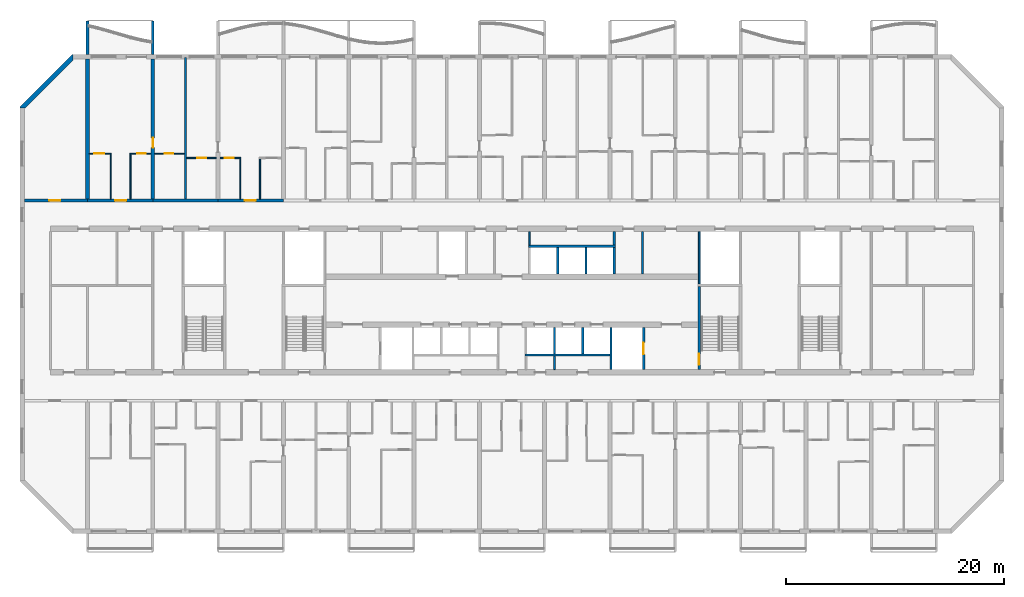
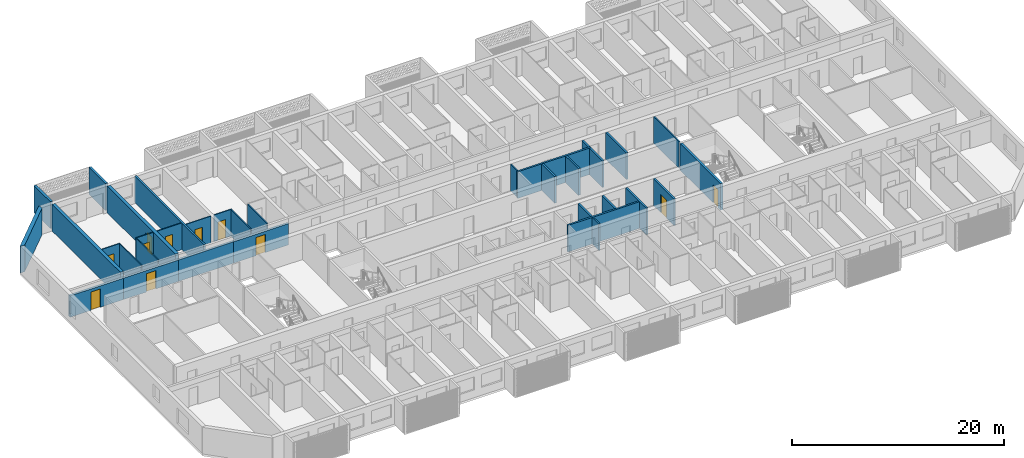
# One storey, part 9 of 31: 34 walls, 11 doors, 11 openings.
"""IFC4 building model written with IfcOpenShell, lengths in metres."""

import ifcopenshell
import ifcopenshell.guid

model = None  # the IFC model being written
_history = None  # IfcOwnerHistory: only IFC2X3 demands one
_inside = {}  # id of a spatial element -> (the spatial element, [elements in it])
_under = {}  # id of a project, library or spatial element -> (it, [spatial elements below it])
_declared = {}  # id of a project -> (the project, [libraries it declares])
_typed = {}  # id of a type object -> (the type object, [elements of that type])
_made_of = {}  # id of a material, layer set ... -> (it, [elements and type objects made of it])


def new_model(schema):
    """Start an empty IFC model of exactly this schema.

    Asked for "IFC4X3", IfcOpenShell would pick the latest addendum, in which some entities
    have other attributes; the version numbers below select the first issue.
    IFC2X3 requires an IfcOwnerHistory on every rooted entity: one is made here for all.
    """
    global model, _history
    if schema == "IFC4X3":
        model = ifcopenshell.file(schema_version=(4, 3, 0, 0))
    else:
        model = ifcopenshell.file(schema=schema)
    _inside.clear()
    _under.clear()
    _declared.clear()
    _typed.clear()
    _made_of.clear()
    _history = None
    if model.schema == "IFC2X3":
        org = make("IfcOrganization", Name="unknown")
        user = make(
            "IfcPersonAndOrganization",
            ThePerson=make("IfcPerson", FamilyName="unknown"),
            TheOrganization=org,
        )
        app = make(
            "IfcApplication",
            ApplicationDeveloper=org,
            Version="unknown",
            ApplicationFullName="unknown",
            ApplicationIdentifier="unknown",
        )
        _history = make(
            "IfcOwnerHistory",
            OwningUser=user,
            OwningApplication=app,
            ChangeAction="ADDED",
            CreationDate=0,
        )
    return model


def make(cls, **values):
    """One entity of the class cls with the attributes given. An attribute that is None is left unset."""
    return model.create_entity(
        cls, **{name: value for name, value in values.items() if value is not None}
    )


def rooted(cls, **values):
    """An entity with a GlobalId (a new one), such as an element, a storey or a relation."""
    return make(cls, GlobalId=ifcopenshell.guid.new(), OwnerHistory=_history, **values)


def si_unit(unit_type, name, prefix=None):
    """IfcSIUnit, for example si_unit("LENGTHUNIT", "METRE", prefix="MILLI")."""
    return make("IfcSIUnit", UnitType=unit_type, Prefix=prefix, Name=name)


def assignment(units):
    """IfcUnitAssignment: the units of a project."""
    return None if units is None else make("IfcUnitAssignment", Units=units)


def point(xyz):
    """IfcCartesianPoint."""
    return None if xyz is None else make("IfcCartesianPoint", Coordinates=xyz)


def direction(xyz):
    """IfcDirection."""
    return None if xyz is None else make("IfcDirection", DirectionRatios=xyz)


def frame(location, z_axis=None, x_axis=None):
    """IfcAxis2Placement3D, a coordinate frame: its origin and axes. An axis left out is left unset."""
    return make(
        "IfcAxis2Placement3D",
        Location=point(location),
        Axis=direction(z_axis),
        RefDirection=direction(x_axis),
    )


def frame_2d(location, x_axis=None):
    """IfcAxis2Placement2D, a coordinate frame in the plane: its origin and x axis."""
    return make(
        "IfcAxis2Placement2D", Location=point(location), RefDirection=direction(x_axis)
    )


def origin():
    """The frame at (0, 0, 0) with its axes left unset."""
    return frame((0.0, 0.0, 0.0))


def place(relative_to, where):
    """IfcLocalPlacement: puts the frame where relative to a parent placement (None: the world)."""
    return make(
        "IfcLocalPlacement", PlacementRelTo=relative_to, RelativePlacement=where
    )


def context(
    kind, dimensions, precision=None, world=None, true_north=None, identifier=None
):
    """IfcGeometricRepresentationContext, for example the 3D "Model" context."""
    return make(
        "IfcGeometricRepresentationContext",
        ContextIdentifier=identifier,
        ContextType=kind,
        CoordinateSpaceDimension=dimensions,
        Precision=precision,
        WorldCoordinateSystem=world,
        TrueNorth=true_north,
    )


def subcontext(parent, identifier, kind, view, scale=None):
    """IfcGeometricRepresentationSubContext, for example "Body" below "Model"."""
    return make(
        "IfcGeometricRepresentationSubContext",
        ContextIdentifier=identifier,
        ContextType=kind,
        ParentContext=parent,
        TargetScale=scale,
        TargetView=view,
    )


def project(units=None, contexts=None):
    """IfcProject with its units and contexts."""
    return rooted(
        "IfcProject",
        Name="project",
        RepresentationContexts=contexts,
        UnitsInContext=assignment(units),
    )


def spatial(cls, under=None, at=None, **own):
    """A site, building, storey or space (cls), placed at a placement, below another one or the project."""
    s = rooted(cls, ObjectPlacement=at, **own)
    if under is not None:
        _under.setdefault(under.id(), (under, []))[1].append(s)
    return s


def polyline(points):
    """IfcPolyline through the points."""
    return make("IfcPolyline", Points=[point(p) for p in points])


def profile(cls, at=None, kind="AREA", **sizes):
    """A parametric profile (cls). Its sizes go by their IFC names, for example OverallWidth=200.0."""
    return make(cls, ProfileType=kind, Position=at, **sizes)


def rectangle(**sizes):
    """IfcRectangleProfileDef."""
    return profile("IfcRectangleProfileDef", **sizes)


def outline(outer, holes=None, kind="AREA"):
    """IfcArbitraryClosedProfileDef: a profile drawn as a closed curve; with holes, ...WithVoids."""
    if holes is None:
        return make("IfcArbitraryClosedProfileDef", ProfileType=kind, OuterCurve=outer)
    return make(
        "IfcArbitraryProfileDefWithVoids",
        ProfileType=kind,
        OuterCurve=outer,
        InnerCurves=holes,
    )


def extrude(swept, where, along, depth):
    """IfcExtrudedAreaSolid: the profile swept, set in the frame where, extruded along a direction by depth."""
    return make(
        "IfcExtrudedAreaSolid",
        SweptArea=swept,
        Position=where,
        ExtrudedDirection=direction(along),
        Depth=depth,
    )


def shape(context_of_items, identifier, shape_type, items):
    """IfcShapeRepresentation: the items that make up one representation, for example the "Body"."""
    return make(
        "IfcShapeRepresentation",
        ContextOfItems=context_of_items,
        RepresentationIdentifier=identifier,
        RepresentationType=shape_type,
        Items=items,
    )


def source(mapping_origin, context_of_items, identifier, shape_type, items):
    """IfcRepresentationMap: a shape defined once, which mapped items show again and again."""
    return make(
        "IfcRepresentationMap",
        MappingOrigin=mapping_origin,
        MappedRepresentation=shape(context_of_items, identifier, shape_type, items),
    )


def transform(
    local_origin,
    x_axis=None,
    y_axis=None,
    z_axis=None,
    scale=None,
    scale2=None,
    scale3=None,
    uniform=True,
):
    """IfcCartesianTransformationOperator3D, or its non-uniform kind. x_axis, y_axis, z_axis: its Axis1, 2, 3."""
    if uniform:
        return make(
            "IfcCartesianTransformationOperator3D",
            Axis1=direction(x_axis),
            Axis2=direction(y_axis),
            LocalOrigin=point(local_origin),
            Scale=scale,
            Axis3=direction(z_axis),
        )
    return make(
        "IfcCartesianTransformationOperator3DnonUniform",
        Axis1=direction(x_axis),
        Axis2=direction(y_axis),
        LocalOrigin=point(local_origin),
        Scale=scale,
        Axis3=direction(z_axis),
        Scale2=scale2,
        Scale3=scale3,
    )


def mapped(mapping_source, mapping_target):
    """IfcMappedItem: shows the shape of a source again, moved by a transform."""
    return make(
        "IfcMappedItem", MappingSource=mapping_source, MappingTarget=mapping_target
    )


def material(Name=None, Category=None):
    """IfcMaterial."""
    return make("IfcMaterial", Name=Name, Category=Category)


def layer(
    of_material, thickness, ventilated=None, Name=None, Category=None, Priority=None
):
    """IfcMaterialLayer: one layer of a wall or slab, of a material (None: an air gap)."""
    return make(
        "IfcMaterialLayer",
        Material=of_material,
        LayerThickness=thickness,
        IsVentilated=ventilated,
        Name=Name,
        Category=Category,
        Priority=Priority,
    )


def layer_set(layers, Name=None):
    """IfcMaterialLayerSet."""
    return make("IfcMaterialLayerSet", MaterialLayers=layers, LayerSetName=Name)


def made_of(thing, what):
    """Note that an element or type object is made of a material, layer set ...; save() writes the relation."""
    if what is not None:
        _made_of.setdefault(what.id(), (what, []))[1].append(thing)
    return thing


def type_object(cls, material=None, **own):
    """A type object (cls), such as IfcWallType, which elements share."""
    return made_of(rooted(cls, **own), material)


def element(
    cls,
    number,
    at=None,
    inside=None,
    cuts=None,
    type_object=None,
    material=None,
    context=None,
    identifier="Body",
    shape_type=None,
    held_by="IfcProductDefinitionShape",
    body=None,
    shapes=None,
    **own,
):
    """One element of the class cls, such as IfcWall. Its Tag is "e" and its number.

    at: its placement. inside: the storey or other place that contains it. cuts: it is an
    opening in that element (IfcRelVoidsElement). A single representation is given by context,
    identifier, shape_type and body (its items); several are given by shapes. held_by: the class
    of the entity that holds the representations. save() writes the other relations.
    """
    e = rooted(cls, Tag="e%d" % number, ObjectPlacement=at, **own)
    if body is not None:
        shapes = [shape(context, identifier, shape_type, body)]
    if shapes is not None:
        e.Representation = make(held_by, Representations=shapes)
    if inside is not None:
        _inside.setdefault(inside.id(), (inside, []))[1].append(e)
    if cuts is not None:
        rooted(
            "IfcRelVoidsElement", RelatingBuildingElement=cuts, RelatedOpeningElement=e
        )
    if type_object is not None:
        _typed.setdefault(type_object.id(), (type_object, []))[1].append(e)
    return made_of(e, material)


def fill(opening, filler):
    """IfcRelFillsElement: the door or window that sits in an opening."""
    return rooted(
        "IfcRelFillsElement",
        RelatingOpeningElement=opening,
        RelatedBuildingElement=filler,
    )


def aggregate(whole, parts):
    """IfcRelAggregates: a whole, such as a stair, and the parts it consists of."""
    return rooted("IfcRelAggregates", RelatingObject=whole, RelatedObjects=parts)


def save(model, path):
    """Write the relations noted so far, then the file.

    IfcRelAggregates (storeys below a building ...), IfcRelContainedInSpatialStructure (elements
    in a storey), IfcRelDefinesByType, IfcRelAssociatesMaterial and IfcRelDeclares: one each for
    every whole, place, type object, material and project.
    """
    for whole, parts in _under.values():
        aggregate(whole, parts)
    for where, things in _inside.values():
        rooted(
            "IfcRelContainedInSpatialStructure",
            RelatedElements=things,
            RelatingStructure=where,
        )
    for kind, things in _typed.values():
        rooted("IfcRelDefinesByType", RelatedObjects=things, RelatingType=kind)
    for what, things in _made_of.values():
        rooted("IfcRelAssociatesMaterial", RelatedObjects=things, RelatingMaterial=what)
    for by, libraries in _declared.values():
        rooted("IfcRelDeclares", RelatingContext=by, RelatedDefinitions=libraries)
    model.write(path)


model = new_model("IFC4")

# Units and contexts
model_context = context("Model", 3, precision=1e-05, world=origin(), true_north=direction((0.0, 1.0)))
body_context = subcontext(model_context, "Body", "Model", "MODEL_VIEW")
ifc_project = project(units=[si_unit("LENGTHUNIT", "METRE"), si_unit("AREAUNIT", "SQUARE_METRE"), si_unit("VOLUMEUNIT", "CUBIC_METRE"), si_unit("PLANEANGLEUNIT", "RADIAN"), si_unit("MASSUNIT", "GRAM", prefix="KILO")], contexts=[model_context])

# Site, building, storey
site_placement = place(None, origin())
site = spatial("IfcSite", under=ifc_project, at=site_placement, CompositionType="ELEMENT")
building_placement = place(site_placement, origin())
building = spatial("IfcBuilding", under=site, at=building_placement, Name="Poui Terraces", CompositionType="ELEMENT")
storey_placement = place(building_placement, frame((0.0, 0.0, 82.800048828125)))
storey = spatial("IfcBuildingStorey", under=building, at=storey_placement, Name="L22", CompositionType="ELEMENT", Elevation=82.800048828125)

# Wall
ifc_material_1 = material(Name="Fire-rated plasterboard wall")
ifc_layer_1 = layer(ifc_material_1, 0.14990234375)
ifc_layer_set_1 = layer_set([ifc_layer_1], Name="Fire-rated plasterboard wall")
wall_type_1 = type_object("IfcWallType", Name="CORRIDOR WALL 150", PredefinedType="PARTITIONING", material=ifc_layer_set_1)
wall_1_placement = place(storey_placement, frame((52.60009765625, 26.300048828125, 0.0), z_axis=(0.0, 0.0, 1.0), x_axis=(0.0, 1.0, 0.0)))
element("IfcWall", 1, at=wall_1_placement, inside=storey, type_object=wall_type_1, Name="CORRIDOR WALL 150", PredefinedType="PARTITIONING", context=body_context, shape_type="SweptSolid", body=[
    extrude(rectangle(XDim=1.239990234375, YDim=0.14990234375, at=frame_2d((0.6201171875, 0.0))), origin(), (0.0, 0.0, 1.0), 3.06005859375),
])

# Wall, opening, door
ifc_material_2 = material(Name="Concrete 65 MPa", Category="concrete")
ifc_layer_2 = layer(ifc_material_2, 0.25)
ifc_layer_set_2 = layer_set([ifc_layer_2], Name="Concrete 65 MPa")
wall_type_2 = type_object("IfcWallType", Name="CORRIDOR WALL 250 65MPa", PredefinedType="SHEAR", material=ifc_layer_set_2)
wall_2_placement = place(storey_placement, frame((6.199951171875, 30.39990234375, 0.0), z_axis=(0.0, 0.0, 1.0), x_axis=(1.0, 0.0, 0.0)))
wall_2 = element("IfcWall", 2, at=wall_2_placement, inside=storey, type_object=wall_type_2, Name="CORRIDOR WALL LINE E BAY 1", PredefinedType="SHEAR", context=body_context, shape_type="SweptSolid", body=[
    extrude(rectangle(XDim=5.800048828125, YDim=0.25, at=frame_2d((2.89990234375, 0.0))), origin(), (0.0, 0.0, 1.0), 2.4599609375),
])
opening_1_placement = place(wall_2_placement, frame((2.300048828125, 0.0, 0.0)))
opening_1 = element("IfcOpeningElement", 3, at=opening_1_placement, cuts=wall_2, Name="Opening D100", PredefinedType="OPENING", context=body_context, shape_type="SweptSolid", body=[
    extrude(rectangle(XDim=1.0, YDim=2.10009765625, at=frame_2d((0.5, 1.050048828125))), frame((0.0, 0.135009765625, 0.0), z_axis=(0.0, -1.0, 0.0), x_axis=(1.0, 0.0, 0.0)), (0.0, 0.0, 1.0), 0.27001953125),
])
ifc_material_3 = material(Name="Solid core timber door", Category="wood")
door_type_1 = type_object("IfcDoorType", Name="ACCESSIBLE INTERNAL DOOR 1000 X 2100", OperationType="NOTDEFINED", PredefinedType="DOOR", material=ifc_material_3)
door_1_placement = place(opening_1_placement, origin())
door_1 = element("IfcDoor", 4, at=door_1_placement, inside=storey, type_object=door_type_1, Name="ACCESSIBLE INTERNAL DOOR 032", OperationType="SINGLE_SWING_LEFT", OverallHeight=2.10009765625, OverallWidth=1.0, PredefinedType="DOOR", context=body_context, shape_type="SweptSolid", body=[
    extrude(rectangle(XDim=1.0, YDim=2.10009765625, at=frame_2d((0.5, 1.050048828125))), frame((0.0, 0.02490234375, 0.0), z_axis=(0.0, -1.0, 0.0), x_axis=(1.0, 0.0, 0.0)), (0.0, 0.0, 1.0), 0.050048828125),
])
fill(opening_1, door_1)

wall_3_placement = place(storey_placement, frame((12.0, 30.39990234375, 0.0), z_axis=(0.0, 0.0, 1.0), x_axis=(1.0, 0.0, 0.0)))
wall_3 = element("IfcWall", 5, at=wall_3_placement, inside=storey, type_object=wall_type_2, Name="CORRIDOR WALL LINE E BAY 2", PredefinedType="SHEAR", context=body_context, shape_type="SweptSolid", body=[
    extrude(rectangle(XDim=6.0, YDim=0.25, at=frame_2d((3.0, 0.0))), origin(), (0.0, 0.0, 1.0), 2.4599609375),
])
opening_2_placement = place(wall_3_placement, frame((2.550048828125, 0.0, 0.0)))
opening_2 = element("IfcOpeningElement", 6, at=opening_2_placement, cuts=wall_3, Name="Opening FD30S", PredefinedType="OPENING", context=body_context, shape_type="SweptSolid", body=[
    extrude(rectangle(XDim=1.0, YDim=2.10009765625, at=frame_2d((0.5, 1.050048828125))), frame((0.0, 0.135009765625, 0.0), z_axis=(0.0, -1.0, 0.0), x_axis=(1.0, 0.0, 0.0)), (0.0, 0.0, 1.0), 0.27001953125),
])
ifc_material_4 = material(Name="Steel fire door", Category="steel")
door_type_2 = type_object("IfcDoorType", Name="FLAT ENTRANCE DOOR 1000 X 2100", OperationType="NOTDEFINED", PredefinedType="DOOR", material=ifc_material_4)
door_2_placement = place(opening_2_placement, origin())
door_2 = element("IfcDoor", 7, at=door_2_placement, inside=storey, type_object=door_type_2, Name="FLAT ENTRANCE DOOR 035", OperationType="SINGLE_SWING_RIGHT", OverallHeight=2.10009765625, OverallWidth=1.0, PredefinedType="DOOR", context=body_context, shape_type="SweptSolid", body=[
    extrude(rectangle(XDim=1.0, YDim=2.10009765625, at=frame_2d((0.5, 1.050048828125))), frame((0.0, 0.02490234375, 0.0), z_axis=(0.0, -1.0, 0.0), x_axis=(1.0, 0.0, 0.0)), (0.0, 0.0, 1.0), 0.050048828125),
])
fill(opening_2, door_2)

# Wall
wall_4_placement = place(storey_placement, frame((18.0, 30.39990234375, 0.0), z_axis=(0.0, 0.0, 1.0), x_axis=(1.0, 0.0, 0.0)))
element("IfcWall", 8, at=wall_4_placement, inside=storey, type_object=wall_type_2, Name="CORRIDOR WALL LINE E BAY 3", PredefinedType="SHEAR", context=body_context, shape_type="SweptSolid", body=[
    extrude(rectangle(XDim=6.0, YDim=0.25, at=frame_2d((3.0, 0.0))), origin(), (0.0, 0.0, 1.0), 2.4599609375),
])

# Wall, opening, door
wall_5_placement = place(storey_placement, frame((24.0, 30.39990234375, 0.0), z_axis=(0.0, 0.0, 1.0), x_axis=(1.0, 0.0, 0.0)))
wall_5 = element("IfcWall", 9, at=wall_5_placement, inside=storey, type_object=wall_type_2, Name="CORRIDOR WALL LINE E BAY 4", PredefinedType="SHEAR", context=body_context, shape_type="SweptSolid", body=[
    extrude(rectangle(XDim=6.0, YDim=0.25, at=frame_2d((3.0, 0.0))), origin(), (0.0, 0.0, 1.0), 2.4599609375),
])
opening_3_placement = place(wall_5_placement, frame((2.449951171875, 0.0, 0.0)))
opening_3 = element("IfcOpeningElement", 10, at=opening_3_placement, cuts=wall_5, Name="Opening FD30S", PredefinedType="OPENING", context=body_context, shape_type="SweptSolid", body=[
    extrude(rectangle(XDim=1.0, YDim=2.10009765625, at=frame_2d((0.5, 1.050048828125))), frame((0.0, 0.135009765625, 0.0), z_axis=(0.0, -1.0, 0.0), x_axis=(1.0, 0.0, 0.0)), (0.0, 0.0, 1.0), 0.27001953125),
])
door_3_placement = place(opening_3_placement, origin())
door_3 = element("IfcDoor", 11, at=door_3_placement, inside=storey, type_object=door_type_2, Name="FLAT ENTRANCE DOOR 041", OperationType="SINGLE_SWING_LEFT", OverallHeight=2.10009765625, OverallWidth=1.0, PredefinedType="DOOR", context=body_context, shape_type="SweptSolid", body=[
    extrude(rectangle(XDim=1.0, YDim=2.10009765625, at=frame_2d((0.5, 1.050048828125))), frame((0.0, 0.02490234375, 0.0), z_axis=(0.0, -1.0, 0.0), x_axis=(1.0, 0.0, 0.0)), (0.0, 0.0, 1.0), 0.050048828125),
])
fill(opening_3, door_3)

# Wall
ifc_layer_3 = layer(ifc_material_2, 0.35009765625)
ifc_layer_set_3 = layer_set([ifc_layer_3], Name="Concrete 65 MPa")
wall_type_3 = type_object("IfcWallType", Name="CROSS WALL 350 65MPa", PredefinedType="SHEAR", material=ifc_layer_set_3)
wall_6_placement = place(storey_placement, frame((12.0, 30.52490234375, 0.0), z_axis=(0.0, 0.0, 1.0), x_axis=(0.0, 1.0, 0.0)))
element("IfcWall", 12, at=wall_6_placement, inside=storey, type_object=wall_type_3, Name="CROSS WALL LINE 3 NORTH", PredefinedType="SHEAR", context=body_context, shape_type="SweptSolid", body=[
    extrude(rectangle(XDim=12.875, YDim=0.35009765625, at=frame_2d((6.4375, 0.0))), origin(), (0.0, 0.0, 1.0), 3.06005859375),
])

# Wall, opening, door
wall_7_placement = place(storey_placement, frame((18.0, 30.52490234375, 0.0), z_axis=(0.0, 0.0, 1.0), x_axis=(0.0, 1.0, 0.0)))
wall_7 = element("IfcWall", 13, at=wall_7_placement, inside=storey, type_object=wall_type_3, Name="CROSS WALL LINE 4 NORTH", PredefinedType="SHEAR", context=body_context, shape_type="SweptSolid", body=[
    extrude(rectangle(XDim=12.875, YDim=0.35009765625, at=frame_2d((6.4375, 0.0))), origin(), (0.0, 0.0, 1.0), 3.06005859375),
])
opening_4_placement = place(wall_7_placement, frame((4.72509765625, 0.0, 0.0)))
opening_4 = element("IfcOpeningElement", 14, at=opening_4_placement, cuts=wall_7, Name="Opening D90", PredefinedType="OPENING", context=body_context, shape_type="SweptSolid", body=[
    extrude(rectangle(XDim=0.89990234375, YDim=2.10009765625, at=frame_2d((0.449951171875, 1.050048828125))), frame((0.0, 0.18505859375, 0.0), z_axis=(0.0, -1.0, 0.0), x_axis=(1.0, 0.0, 0.0)), (0.0, 0.0, 1.0), 0.3701171875),
])
door_type_3 = type_object("IfcDoorType", Name="INTERNAL DOOR 900 X 2100", OperationType="NOTDEFINED", PredefinedType="DOOR", material=ifc_material_3)
door_4_placement = place(opening_4_placement, frame((0.89990234375, 0.0, 0.0), z_axis=(0.0, 0.0, 1.0), x_axis=(-1.0, 0.0, 0.0)))
door_4 = element("IfcDoor", 15, at=door_4_placement, inside=storey, type_object=door_type_3, Name="INTERNAL DOOR 037", OperationType="SINGLE_SWING_RIGHT", OverallHeight=2.10009765625, OverallWidth=0.89990234375, PredefinedType="DOOR", context=body_context, shape_type="SweptSolid", body=[
    extrude(rectangle(XDim=0.89990234375, YDim=2.10009765625, at=frame_2d((0.449951171875, 1.050048828125))), frame((0.0, 0.02490234375, 0.0), z_axis=(0.0, -1.0, 0.0), x_axis=(1.0, 0.0, 0.0)), (0.0, 0.0, 1.0), 0.050048828125),
])
fill(opening_4, door_4)

ifc_material_5 = material(Name="Plasterboard partition")
ifc_layer_4 = layer(ifc_material_5, 0.10009765625)
ifc_layer_set_4 = layer_set([ifc_layer_4], Name="Plasterboard partition")
wall_type_4 = type_object("IfcWallType", Name="FLAT PARTITION 100", PredefinedType="PARTITIONING", material=ifc_layer_set_4)
wall_8_placement = place(storey_placement, frame((21.10009765625, 34.300048828125, 0.0), z_axis=(0.0, 0.0, 1.0), x_axis=(1.0, 0.0, 0.0)))
wall_8 = element("IfcWall", 16, at=wall_8_placement, inside=storey, type_object=wall_type_4, Name="FLAT PARTITION 100", PredefinedType="PARTITIONING", context=body_context, shape_type="SweptSolid", body=[
    extrude(rectangle(XDim=2.71484375, YDim=0.10009765625, at=frame_2d((1.357421875, 0.0))), origin(), (0.0, 0.0, 1.0), 3.06005859375),
])
opening_5_placement = place(wall_8_placement, frame((1.0, 0.0, 0.0)))
opening_5 = element("IfcOpeningElement", 17, at=opening_5_placement, cuts=wall_8, Name="Opening D80", PredefinedType="OPENING", context=body_context, shape_type="SweptSolid", body=[
    extrude(rectangle(XDim=0.800048828125, YDim=2.10009765625, at=frame_2d((0.39990234375, 1.050048828125))), frame((0.0, 0.06005859375, 0.0), z_axis=(0.0, -1.0, 0.0), x_axis=(1.0, 0.0, 0.0)), (0.0, 0.0, 1.0), 0.1201171875),
])
door_type_4 = type_object("IfcDoorType", Name="BATHROOM, LAUNDRY AND STORE DOOR 800 X 2100", OperationType="NOTDEFINED", PredefinedType="DOOR", material=ifc_material_3)
door_5_placement = place(opening_5_placement, frame((0.800048828125, 0.0, 0.0), z_axis=(0.0, 0.0, 1.0), x_axis=(-1.0, 0.0, 0.0)))
door_5 = element("IfcDoor", 18, at=door_5_placement, inside=storey, type_object=door_type_4, Name="BATHROOM, LAUNDRY AND STORE DOOR 038", OperationType="SINGLE_SWING_RIGHT", OverallHeight=2.10009765625, OverallWidth=0.800048828125, PredefinedType="DOOR", context=body_context, shape_type="SweptSolid", body=[
    extrude(rectangle(XDim=0.800048828125, YDim=2.10009765625, at=frame_2d((0.39990234375, 1.050048828125))), frame((0.0, 0.02490234375, 0.0), z_axis=(0.0, -1.0, 0.0), x_axis=(1.0, 0.0, 0.0)), (0.0, 0.0, 1.0), 0.050048828125),
])
fill(opening_5, door_5)

wall_9_placement = place(storey_placement, frame((24.18505859375, 34.300048828125, 0.0), z_axis=(0.0, 0.0, 1.0), x_axis=(1.0, 0.0, 0.0)))
wall_9 = element("IfcWall", 19, at=wall_9_placement, inside=storey, type_object=wall_type_4, Name="FLAT PARTITION 100", PredefinedType="PARTITIONING", context=body_context, shape_type="SweptSolid", body=[
    extrude(rectangle(XDim=1.9150390625, YDim=0.10009765625, at=frame_2d((0.95751953125, 0.0))), origin(), (0.0, 0.0, 1.0), 3.06005859375),
])
opening_6_placement = place(wall_9_placement, frame((0.43994140625, 0.0, 0.0)))
opening_6 = element("IfcOpeningElement", 20, at=opening_6_placement, cuts=wall_9, Name="Opening D80", PredefinedType="OPENING", context=body_context, shape_type="SweptSolid", body=[
    extrude(rectangle(XDim=0.800048828125, YDim=2.10009765625, at=frame_2d((0.39990234375, 1.050048828125))), frame((0.0, 0.06005859375, 0.0), z_axis=(0.0, -1.0, 0.0), x_axis=(1.0, 0.0, 0.0)), (0.0, 0.0, 1.0), 0.1201171875),
])
door_6_placement = place(opening_6_placement, frame((0.800048828125, 0.0, 0.0), z_axis=(0.0, 0.0, 1.0), x_axis=(-1.0, 0.0, 0.0)))
door_6 = element("IfcDoor", 21, at=door_6_placement, inside=storey, type_object=door_type_4, Name="BATHROOM, LAUNDRY AND STORE DOOR 040", OperationType="SINGLE_SWING_LEFT", OverallHeight=2.10009765625, OverallWidth=0.800048828125, PredefinedType="DOOR", context=body_context, shape_type="SweptSolid", body=[
    extrude(rectangle(XDim=0.800048828125, YDim=2.10009765625, at=frame_2d((0.39990234375, 1.050048828125))), frame((0.0, 0.02490234375, 0.0), z_axis=(0.0, -1.0, 0.0), x_axis=(1.0, 0.0, 0.0)), (0.0, 0.0, 1.0), 0.050048828125),
])
fill(opening_6, door_6)

wall_10_placement = place(storey_placement, frame((12.18505859375, 34.699951171875, 0.0), z_axis=(0.0, 0.0, 1.0), x_axis=(1.0, 0.0, 0.0)))
wall_10 = element("IfcWall", 22, at=wall_10_placement, inside=storey, type_object=wall_type_4, Name="FLAT PARTITION 100", PredefinedType="PARTITIONING", context=body_context, shape_type="SweptSolid", body=[
    extrude(rectangle(XDim=2.014892578125, YDim=0.10009765625, at=frame_2d((1.00732421875, 0.0))), origin(), (0.0, 0.0, 1.0), 3.06005859375),
])
opening_7_placement = place(wall_10_placement, frame((0.43994140625, 0.0, 0.0)))
opening_7 = element("IfcOpeningElement", 23, at=opening_7_placement, cuts=wall_10, Name="Opening D90", PredefinedType="OPENING", context=body_context, shape_type="SweptSolid", body=[
    extrude(rectangle(XDim=0.89990234375, YDim=2.10009765625, at=frame_2d((0.449951171875, 1.050048828125))), frame((0.0, 0.06005859375, 0.0), z_axis=(0.0, -1.0, 0.0), x_axis=(1.0, 0.0, 0.0)), (0.0, 0.0, 1.0), 0.1201171875),
])
door_7_placement = place(opening_7_placement, frame((0.89990234375, 0.0, 0.0), z_axis=(0.0, 0.0, 1.0), x_axis=(-1.0, 0.0, 0.0)))
door_7 = element("IfcDoor", 24, at=door_7_placement, inside=storey, type_object=door_type_3, Name="INTERNAL DOOR 034", OperationType="SINGLE_SWING_RIGHT", OverallHeight=2.10009765625, OverallWidth=0.89990234375, PredefinedType="DOOR", context=body_context, shape_type="SweptSolid", body=[
    extrude(rectangle(XDim=0.89990234375, YDim=2.10009765625, at=frame_2d((0.449951171875, 1.050048828125))), frame((0.0, 0.02490234375, 0.0), z_axis=(0.0, -1.0, 0.0), x_axis=(1.0, 0.0, 0.0)), (0.0, 0.0, 1.0), 0.050048828125),
])
fill(opening_7, door_7)

wall_11_placement = place(storey_placement, frame((15.89990234375, 34.699951171875, 0.0), z_axis=(0.0, 0.0, 1.0), x_axis=(1.0, 0.0, 0.0)))
wall_11 = element("IfcWall", 25, at=wall_11_placement, inside=storey, type_object=wall_type_4, Name="FLAT PARTITION 100", PredefinedType="PARTITIONING", context=body_context, shape_type="SweptSolid", body=[
    extrude(rectangle(XDim=1.9150390625, YDim=0.10009765625, at=frame_2d((0.95751953125, 0.0))), origin(), (0.0, 0.0, 1.0), 3.06005859375),
])
opening_8_placement = place(wall_11_placement, frame((0.675048828125, 0.0, 0.0)))
opening_8 = element("IfcOpeningElement", 26, at=opening_8_placement, cuts=wall_11, Name="Opening D80", PredefinedType="OPENING", context=body_context, shape_type="SweptSolid", body=[
    extrude(rectangle(XDim=0.800048828125, YDim=2.10009765625, at=frame_2d((0.39990234375, 1.050048828125))), frame((0.0, 0.06005859375, 0.0), z_axis=(0.0, -1.0, 0.0), x_axis=(1.0, 0.0, 0.0)), (0.0, 0.0, 1.0), 0.1201171875),
])
door_8_placement = place(opening_8_placement, frame((0.800048828125, 0.0, 0.0), z_axis=(0.0, 0.0, 1.0), x_axis=(-1.0, 0.0, 0.0)))
door_8 = element("IfcDoor", 27, at=door_8_placement, inside=storey, type_object=door_type_4, Name="BATHROOM, LAUNDRY AND STORE DOOR 036", OperationType="SINGLE_SWING_LEFT", OverallHeight=2.10009765625, OverallWidth=0.800048828125, PredefinedType="DOOR", context=body_context, shape_type="SweptSolid", body=[
    extrude(rectangle(XDim=0.800048828125, YDim=2.10009765625, at=frame_2d((0.39990234375, 1.050048828125))), frame((0.0, 0.02490234375, 0.0), z_axis=(0.0, -1.0, 0.0), x_axis=(1.0, 0.0, 0.0)), (0.0, 0.0, 1.0), 0.050048828125),
])
fill(opening_8, door_8)

wall_12_placement = place(storey_placement, frame((18.18505859375, 34.699951171875, 0.0), z_axis=(0.0, 0.0, 1.0), x_axis=(1.0, 0.0, 0.0)))
wall_12 = element("IfcWall", 28, at=wall_12_placement, inside=storey, type_object=wall_type_4, Name="FLAT PARTITION 100", PredefinedType="PARTITIONING", context=body_context, shape_type="SweptSolid", body=[
    extrude(rectangle(XDim=2.71484375, YDim=0.10009765625, at=frame_2d((1.357421875, 0.0))), origin(), (0.0, 0.0, 1.0), 3.06005859375),
])
opening_9_placement = place(wall_12_placement, frame((0.9150390625, 0.0, 0.0)))
opening_9 = element("IfcOpeningElement", 29, at=opening_9_placement, cuts=wall_12, Name="Opening D80", PredefinedType="OPENING", context=body_context, shape_type="SweptSolid", body=[
    extrude(rectangle(XDim=0.800048828125, YDim=2.10009765625, at=frame_2d((0.39990234375, 1.050048828125))), frame((0.0, 0.06005859375, 0.0), z_axis=(0.0, -1.0, 0.0), x_axis=(1.0, 0.0, 0.0)), (0.0, 0.0, 1.0), 0.1201171875),
])
door_9_placement = place(opening_9_placement, frame((0.800048828125, 0.0, 0.0), z_axis=(0.0, 0.0, 1.0), x_axis=(-1.0, 0.0, 0.0)))
door_9 = element("IfcDoor", 30, at=door_9_placement, inside=storey, type_object=door_type_4, Name="BATHROOM, LAUNDRY AND STORE DOOR 033", OperationType="SINGLE_SWING_LEFT", OverallHeight=2.10009765625, OverallWidth=0.800048828125, PredefinedType="DOOR", context=body_context, shape_type="SweptSolid", body=[
    extrude(rectangle(XDim=0.800048828125, YDim=2.10009765625, at=frame_2d((0.39990234375, 1.050048828125))), frame((0.0, 0.02490234375, 0.0), z_axis=(0.0, -1.0, 0.0), x_axis=(1.0, 0.0, 0.0)), (0.0, 0.0, 1.0), 0.050048828125),
])
fill(opening_9, door_9)

# Walls
for number, where, z_axis, x_axis, name in (
    (31, (14.14990234375, 30.534912109375, 0.0), (0.0, 0.0, 1.0), (0.0, 1.0, 0.0), "FLAT PARTITION 100"),
    (32, (15.949951171875, 30.534912109375, 0.0), (0.0, 0.0, 1.0), (0.0, 1.0, 0.0), "FLAT PARTITION 100"),
):
    element("IfcWall", number, at=place(storey_placement, frame(where, z_axis=z_axis, x_axis=x_axis)), inside=storey, type_object=wall_type_4, Name=name, PredefinedType="PARTITIONING", context=body_context, shape_type="SweptSolid", body=[
        extrude(rectangle(XDim=4.114990234375, YDim=0.10009765625, at=frame_2d((2.0576171875, 0.0))), origin(), (0.0, 0.0, 1.0), 3.06005859375),
    ])
for number, where, z_axis, x_axis, name in (
    (33, (26.050048828125, 30.534912109375, 0.0), (0.0, 0.0, 1.0), (0.0, 1.0, 0.0), "FLAT PARTITION 100"),
    (34, (27.85009765625, 30.534912109375, 0.0), (0.0, 0.0, 1.0), (0.0, 1.0, 0.0), "FLAT PARTITION 100"),
):
    element("IfcWall", number, at=place(storey_placement, frame(where, z_axis=z_axis, x_axis=x_axis)), inside=storey, type_object=wall_type_4, Name=name, PredefinedType="PARTITIONING", context=body_context, shape_type="SweptSolid", body=[
        extrude(rectangle(XDim=3.715087890625, YDim=0.10009765625, at=frame_2d((1.857421875, 0.0))), origin(), (0.0, 0.0, 1.0), 3.06005859375),
    ])
ifc_material_6 = material(Name="Fire-rated masonry wall", Category="masonry")
ifc_layer_5 = layer(ifc_material_6, 0.199951171875)
ifc_layer_set_5 = layer_set([ifc_layer_5], Name="Fire-rated masonry wall")
wall_type_5 = type_object("IfcWallType", Name="FLAT PARTY WALL 200", PredefinedType="PARTITIONING", material=ifc_layer_set_5)
wall_13_placement = place(storey_placement, frame((21.0, 30.534912109375, 0.0), z_axis=(0.0, 0.0, 1.0), x_axis=(0.0, 1.0, 0.0)))
element("IfcWall", 35, at=wall_13_placement, inside=storey, type_object=wall_type_5, Name="FLAT PARTY WALL 200", PredefinedType="PARTITIONING", context=body_context, shape_type="SweptSolid", body=[
    extrude(rectangle(XDim=13.005126953125, YDim=0.199951171875, at=frame_2d((6.50244140625, 0.0))), origin(), (0.0, 0.0, 1.0), 3.06005859375),
])
ifc_layer_6 = layer(ifc_material_5, 0.14990234375)
ifc_layer_set_6 = layer_set([ifc_layer_6], Name="Plasterboard partition")
wall_type_6 = type_object("IfcWallType", Name="PARTITION WALL 150", PredefinedType="PARTITIONING", material=ifc_layer_set_6)
wall_14_placement = place(storey_placement, frame((54.89990234375, 14.860107421875, 0.0), z_axis=(0.0, 0.0, 1.0), x_axis=(0.0, 1.0, 0.0)))
element("IfcWall", 36, at=wall_14_placement, inside=storey, type_object=wall_type_6, Name="PARTITION WALL 150", PredefinedType="PARTITIONING", context=body_context, shape_type="SweptSolid", body=[
    extrude(rectangle(XDim=1.239990234375, YDim=0.14990234375, at=frame_2d((0.6201171875, 0.0))), origin(), (0.0, 0.0, 1.0), 3.06005859375),
])
ifc_layer_7 = layer(ifc_material_6, 0.199951171875)
ifc_layer_set_7 = layer_set([ifc_layer_7], Name="Fire-rated masonry wall")
wall_type_7 = type_object("IfcWallType", Name="PLANT ROOM WALL 200", PredefinedType="PARTITIONING", material=ifc_layer_set_7)
wall_15_placement = place(storey_placement, frame((60.39990234375, 26.300048828125, 0.0), z_axis=(0.0, 0.0, 1.0), x_axis=(0.0, 1.0, 0.0)))
element("IfcWall", 37, at=wall_15_placement, inside=storey, type_object=wall_type_7, Name="PLANT ROOM WALL 200", PredefinedType="PARTITIONING", context=body_context, shape_type="SweptSolid", body=[
    extrude(rectangle(XDim=1.239990234375, YDim=0.199951171875, at=frame_2d((0.6201171875, 0.0))), origin(), (0.0, 0.0, 1.0), 3.06005859375),
])
wall_16_placement = place(storey_placement, frame((63.0, 23.659912109375, 0.0), z_axis=(0.0, 0.0, 1.0), x_axis=(0.0, 1.0, 0.0)))
element("IfcWall", 38, at=wall_16_placement, inside=storey, type_object=wall_type_7, Name="PLANT ROOM WALL 200", PredefinedType="PARTITIONING", context=body_context, shape_type="SweptSolid", body=[
    extrude(rectangle(XDim=3.880126953125, YDim=0.199951171875, at=frame_2d((1.93994140625, 0.0))), origin(), (0.0, 0.0, 1.0), 3.06005859375),
])
ifc_material_7 = material(Name="Fire-rated plasterboard riser wall")
ifc_layer_8 = layer(ifc_material_7, 0.14990234375)
ifc_layer_set_8 = layer_set([ifc_layer_8], Name="Fire-rated plasterboard riser wall")
wall_type_8 = type_object("IfcWallType", Name="RISER WALL 150", PredefinedType="PARTITIONING", material=ifc_layer_set_8)
wall_17_placement = place(storey_placement, frame((68.199951171875, 22.735107421875, 0.0), z_axis=(0.0, 0.0, 1.0), x_axis=(0.0, 1.0, 0.0)))
element("IfcWall", 39, at=wall_17_placement, inside=storey, type_object=wall_type_8, Name="RISER WALL 150", PredefinedType="PARTITIONING", context=body_context, shape_type="SweptSolid", body=[
    extrude(rectangle(XDim=4.804931640625, YDim=0.14990234375, at=frame_2d((2.40234375, 0.0))), origin(), (0.0, 0.0, 1.0), 3.06005859375),
])
ifc_material_8 = material(Name="Fire-rated masonry shaft wall", Category="masonry")
ifc_layer_9 = layer(ifc_material_8, 0.199951171875)
ifc_layer_set_9 = layer_set([ifc_layer_9], Name="Fire-rated masonry shaft wall")
wall_type_9 = type_object("IfcWallType", Name="SHAFT WALL 200", PredefinedType="PARTITIONING", material=ifc_layer_set_9)
wall_18_placement = place(storey_placement, frame((52.199951171875, 16.199951171875, 0.0), z_axis=(0.0, 0.0, 1.0), x_axis=(1.0, 0.0, 0.0)))
element("IfcWall", 40, at=wall_18_placement, inside=storey, type_object=wall_type_9, Name="SHAFT WALL 200", PredefinedType="PARTITIONING", context=body_context, shape_type="SweptSolid", body=[
    extrude(rectangle(XDim=7.800048828125, YDim=0.199951171875, at=frame_2d((3.89990234375, 0.0))), origin(), (0.0, 0.0, 1.0), 3.06005859375),
])
wall_19_placement = place(storey_placement, frame((52.5, 26.199951171875, 0.0), z_axis=(0.0, 0.0, 1.0), x_axis=(1.0, 0.0, 0.0)))
element("IfcWall", 41, at=wall_19_placement, inside=storey, type_object=wall_type_9, Name="SHAFT WALL 200", PredefinedType="PARTITIONING", context=body_context, shape_type="SweptSolid", body=[
    extrude(rectangle(XDim=8.0, YDim=0.199951171875, at=frame_2d((4.0, 0.0))), origin(), (0.0, 0.0, 1.0), 3.06005859375),
])
wall_20_placement = place(storey_placement, frame((54.89990234375, 16.300048828125, 0.0), z_axis=(0.0, 0.0, 1.0), x_axis=(0.0, 1.0, 0.0)))
element("IfcWall", 42, at=wall_20_placement, inside=storey, type_object=wall_type_9, Name="SHAFT WALL 200", PredefinedType="PARTITIONING", context=body_context, shape_type="SweptSolid", body=[
    extrude(rectangle(XDim=2.43994140625, YDim=0.199951171875, at=frame_2d((1.219970703125, 0.0))), origin(), (0.0, 0.0, 1.0), 3.06005859375),
])
wall_21_placement = place(storey_placement, frame((55.199951171875, 23.659912109375, 0.0), z_axis=(0.0, 0.0, 1.0), x_axis=(0.0, 1.0, 0.0)))
element("IfcWall", 43, at=wall_21_placement, inside=storey, type_object=wall_type_9, Name="SHAFT WALL 200", PredefinedType="PARTITIONING", context=body_context, shape_type="SweptSolid", body=[
    extrude(rectangle(XDim=2.440185546875, YDim=0.199951171875, at=frame_2d((1.22021484375, 0.0))), origin(), (0.0, 0.0, 1.0), 3.06005859375),
])
wall_22_placement = place(storey_placement, frame((57.5, 16.300048828125, 0.0), z_axis=(0.0, 0.0, 1.0), x_axis=(0.0, 1.0, 0.0)))
element("IfcWall", 44, at=wall_22_placement, inside=storey, type_object=wall_type_9, Name="SHAFT WALL 200", PredefinedType="PARTITIONING", context=body_context, shape_type="SweptSolid", body=[
    extrude(rectangle(XDim=2.43994140625, YDim=0.199951171875, at=frame_2d((1.219970703125, 0.0))), origin(), (0.0, 0.0, 1.0), 3.06005859375),
])
wall_23_placement = place(storey_placement, frame((57.800048828125, 23.659912109375, 0.0), z_axis=(0.0, 0.0, 1.0), x_axis=(0.0, 1.0, 0.0)))
element("IfcWall", 45, at=wall_23_placement, inside=storey, type_object=wall_type_9, Name="SHAFT WALL 200", PredefinedType="PARTITIONING", context=body_context, shape_type="SweptSolid", body=[
    extrude(rectangle(XDim=2.440185546875, YDim=0.199951171875, at=frame_2d((1.22021484375, 0.0))), origin(), (0.0, 0.0, 1.0), 3.06005859375),
])
wall_24_placement = place(storey_placement, frame((60.10009765625, 14.860107421875, 0.0), z_axis=(0.0, 0.0, 1.0), x_axis=(0.0, 1.0, 0.0)))
element("IfcWall", 46, at=wall_24_placement, inside=storey, type_object=wall_type_9, Name="SHAFT WALL 200", PredefinedType="PARTITIONING", context=body_context, shape_type="SweptSolid", body=[
    extrude(rectangle(XDim=3.8798828125, YDim=0.199951171875, at=frame_2d((1.93994140625, 0.0))), origin(), (0.0, 0.0, 1.0), 3.06005859375),
])
wall_25_placement = place(storey_placement, frame((60.39990234375, 23.659912109375, 0.0), z_axis=(0.0, 0.0, 1.0), x_axis=(0.0, 1.0, 0.0)))
element("IfcWall", 47, at=wall_25_placement, inside=storey, type_object=wall_type_9, Name="SHAFT WALL 200", PredefinedType="PARTITIONING", context=body_context, shape_type="SweptSolid", body=[
    extrude(rectangle(XDim=2.440185546875, YDim=0.199951171875, at=frame_2d((1.22021484375, 0.0))), origin(), (0.0, 0.0, 1.0), 3.06005859375),
])

# Wall, opening, door
wall_26_placement = place(storey_placement, frame((63.10009765625, 14.860107421875, 0.0), z_axis=(0.0, 0.0, 1.0), x_axis=(0.0, 1.0, 0.0)))
wall_26 = element("IfcWall", 48, at=wall_26_placement, inside=storey, type_object=wall_type_9, Name="SHAFT WALL 200", PredefinedType="PARTITIONING", context=body_context, shape_type="SweptSolid", body=[
    extrude(rectangle(XDim=3.8798828125, YDim=0.199951171875, at=frame_2d((1.93994140625, 0.0))), origin(), (0.0, 0.0, 1.0), 3.06005859375),
])
opening_10_placement = place(wall_26_placement, frame((1.389892578125, 0.0, 0.0)))
opening_10 = element("IfcOpeningElement", 49, at=opening_10_placement, cuts=wall_26, Name="Opening LD", PredefinedType="OPENING", context=body_context, shape_type="SweptSolid", body=[
    extrude(rectangle(XDim=1.10009765625, YDim=2.10009765625, at=frame_2d((0.550048828125, 1.050048828125))), frame((0.0, 0.10986328125, 0.0), z_axis=(0.0, -1.0, 0.0), x_axis=(1.0, 0.0, 0.0)), (0.0, 0.0, 1.0), 0.219970703125),
])
ifc_material_9 = material(Name="Stainless steel sliding door", Category="steel")
door_type_5 = type_object("IfcDoorType", Name="LIFT LANDING DOOR 1100 X 2100", OperationType="DOUBLE_DOOR_SLIDING", PredefinedType="DOOR", material=ifc_material_9)
door_10_placement = place(opening_10_placement, origin())
door_10 = element("IfcDoor", 50, at=door_10_placement, inside=storey, type_object=door_type_5, Name="LANDING DOOR", OperationType="DOUBLE_DOOR_SLIDING", OverallHeight=2.10009765625, OverallWidth=1.10009765625, PredefinedType="DOOR", context=body_context, shape_type="SweptSolid", body=[
    extrude(rectangle(XDim=1.10009765625, YDim=2.10009765625, at=frame_2d((0.550048828125, 1.050048828125))), frame((0.0, 0.02490234375, 0.0), z_axis=(0.0, -1.0, 0.0), x_axis=(1.0, 0.0, 0.0)), (0.0, 0.0, 1.0), 0.050048828125),
])
fill(opening_10, door_10)

ifc_layer_10 = layer(ifc_material_2, 0.25)
ifc_layer_set_10 = layer_set([ifc_layer_10], Name="Concrete 65 MPa")
wall_type_10 = type_object("IfcWallType", Name="STAIR CORE WALL 250 65 MPA", PredefinedType="SOLIDWALL", material=ifc_layer_set_10)
wall_27_placement = place(storey_placement, frame((68.199951171875, 14.85009765625, 0.0), z_axis=(0.0, 0.0, 1.0), x_axis=(0.0, 1.0, 0.0)))
wall_27 = element("IfcWall", 51, at=wall_27_placement, inside=storey, type_object=wall_type_10, Name="STAIR CORE WALL", PredefinedType="SOLIDWALL", context=body_context, shape_type="SweptSolid", body=[
    extrude(rectangle(XDim=7.625, YDim=0.25, at=frame_2d((3.8125, 0.0))), origin(), (0.0, 0.0, 1.0), 3.06005859375),
])
opening_11_placement = place(wall_27_placement, frame((0.449951171875, 0.0, 0.0)))
opening_11 = element("IfcOpeningElement", 52, at=opening_11_placement, cuts=wall_27, Name="Opening FD60S", PredefinedType="OPENING", context=body_context, shape_type="SweptSolid", body=[
    extrude(rectangle(XDim=1.0, YDim=2.10009765625, at=frame_2d((0.5, 1.050048828125))), frame((0.0, 0.135009765625, 0.0), z_axis=(0.0, -1.0, 0.0), x_axis=(1.0, 0.0, 0.0)), (0.0, 0.0, 1.0), 0.27001953125),
])
door_type_6 = type_object("IfcDoorType", Name="STAIR DOOR 1000 X 2100", OperationType="NOTDEFINED", PredefinedType="DOOR", material=ifc_material_4)
door_11_placement = place(opening_11_placement, frame((1.0, 0.0, 0.0), z_axis=(0.0, 0.0, 1.0), x_axis=(-1.0, 0.0, 0.0)))
door_11 = element("IfcDoor", 53, at=door_11_placement, inside=storey, type_object=door_type_6, Name="STAIR DOOR 137", OperationType="SINGLE_SWING_LEFT", OverallHeight=2.10009765625, OverallWidth=1.0, PredefinedType="DOOR", context=body_context, shape_type="SweptSolid", body=[
    extrude(rectangle(XDim=1.0, YDim=2.10009765625, at=frame_2d((0.5, 1.050048828125))), frame((0.0, 0.02490234375, 0.0), z_axis=(0.0, -1.0, 0.0), x_axis=(1.0, 0.0, 0.0)), (0.0, 0.0, 1.0), 0.050048828125),
])
fill(opening_11, door_11)

# Walls
ifc_material_10 = material(Name="Precast concrete 40 MPa", Category="concrete")
ifc_layer_11 = layer(ifc_material_10, 0.39990234375)
ifc_layer_set_11 = layer_set([ifc_layer_11], Name="Precast concrete 40 MPa")
wall_type_11 = type_object("IfcWallType", Name="TERRACOTTA CLAD CHAMFER WALL 400", PredefinedType="STANDARD", material=ifc_layer_set_11)
wall_28_placement = place(storey_placement, origin())
element("IfcWall", 54, at=wall_28_placement, inside=storey, type_object=wall_type_11, Name="CHAMFER WALL CH05", PredefinedType="STANDARD", context=body_context, shape_type="SweptSolid", body=[
    extrude(outline(polyline([(10.682861328125, 43.800048828125), (10.60009765625, 43.800048828125), (5.800048828125, 39.0), (5.800048828125, 38.917236328125), (6.28271484375, 38.917236328125), (10.682861328125, 43.317138671875), (10.682861328125, 43.800048828125)])), origin(), (0.0, 0.0, 1.0), 3.06005859375),
])
ifc_layer_12 = layer(ifc_material_10, 0.25)
ifc_layer_set_12 = layer_set([ifc_layer_12], Name="Precast concrete 40 MPa")
wall_type_12 = type_object("IfcWallType", Name="BALCONY FIN 250", PredefinedType="STANDARD", material=ifc_layer_set_12)
shared_shape = source(origin(), body_context, "Body", "SweptSolid", [
    extrude(outline(polyline([(0.0, 0.0), (0.25, 0.0), (0.25, 3.099853515625), (0.0, 3.099853515625), (0.0, 0.0)])), origin(), (0.0, 0.0, 1.0), 3.099853515625),
])
for number, where, name in (
    (55, (11.875, 43.800048828125, 0.0), "BALCONY FIN"),
    (56, (17.875, 43.800048828125, 0.0), "BALCONY FIN"),
):
    element("IfcWall", number, at=place(storey_placement, frame(where)), inside=storey, type_object=wall_type_12, Name=name, PredefinedType="STANDARD", context=body_context, shape_type="MappedRepresentation", body=[
        mapped(shared_shape, transform((0.0, 0.0, 0.0))),
    ])

save(model, "model.ifc")
